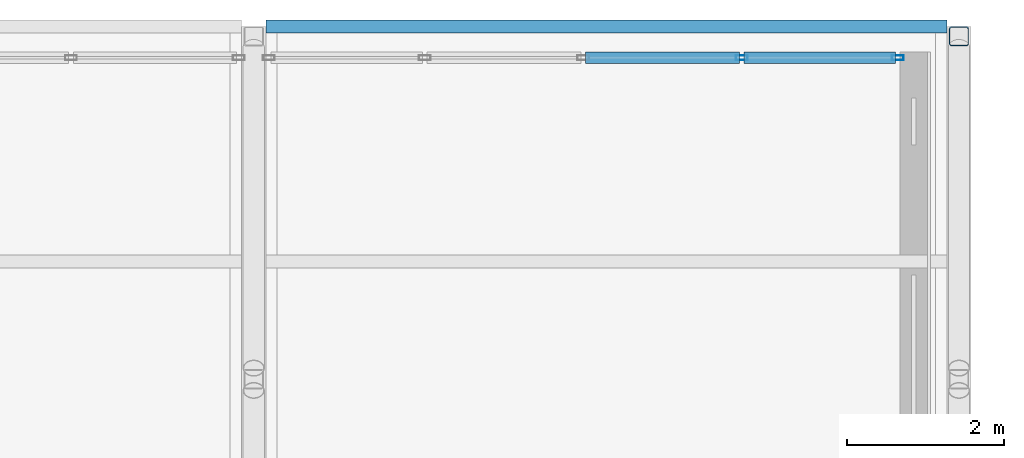
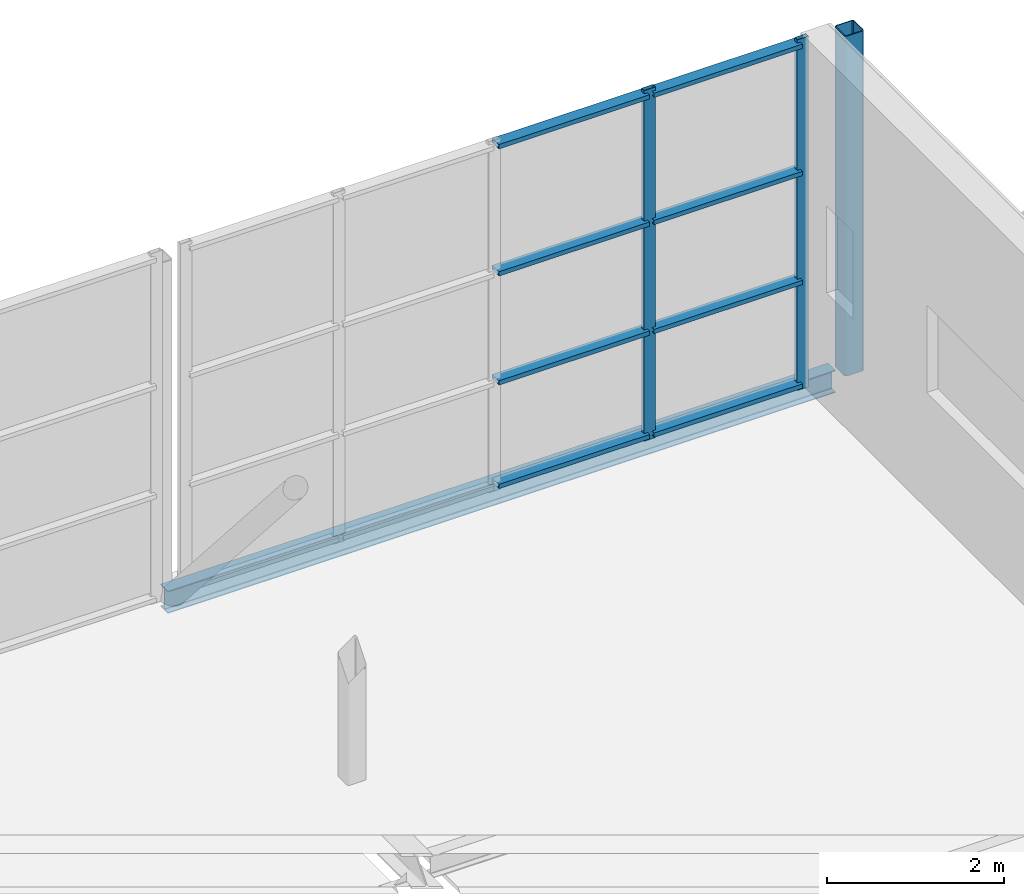
# One storey, part 70 of 94: 11 members, 1 beam, 1 element without a shape of its own.
"""IFC4 building model written with IfcOpenShell, lengths in metres."""

from ifc_helpers import new_model, si_unit, direction, frame, origin, origin_2d, place, context, subcontext, project, spatial, hollow_rectangle, i_section, extrude, material, layer, layer_set, material_profile, profile_set, type_object, element, aggregate, save


model = new_model("IFC4")

# Units and contexts
model_context = context("Model", 3, precision=1e-05, world=origin(), true_north=direction((0.0, 1.0)))
body_context = subcontext(model_context, "Body", "Model", "MODEL_VIEW")
ifc_project = project(units=[si_unit("LENGTHUNIT", "METRE"), si_unit("AREAUNIT", "SQUARE_METRE"), si_unit("VOLUMEUNIT", "CUBIC_METRE"), si_unit("PLANEANGLEUNIT", "RADIAN"), si_unit("MASSUNIT", "GRAM", prefix="KILO")], contexts=[model_context])

# Site, building, storey
site_placement = place(None, origin())
site = spatial("IfcSite", under=ifc_project, at=site_placement, CompositionType="ELEMENT")
building_placement = place(site_placement, origin())
building = spatial("IfcBuilding", under=site, at=building_placement, Name="Shorebreak Coast Museum", CompositionType="ELEMENT")
storey_placement = place(building_placement, frame((0.0, 0.0, 31.0)))
storey = spatial("IfcBuildingStorey", under=building, at=storey_placement, Name="L05", CompositionType="ELEMENT", Elevation=31.0)

# Curtain wall, members
ifc_material_1 = material(Name="Aluminium", Category="aluminium")
ifc_layer = layer(ifc_material_1, 0.14990234375)
ifc_layer_set = layer_set([ifc_layer], Name="Aluminium")
curtain_wall_type = type_object("IfcCurtainWallType", Name="Barrel end glazing", PredefinedType="NOTDEFINED", material=ifc_layer_set)
curtain_wall_placement = place(storey_placement, origin())
curtain_wall = element("IfcCurtainWall", 1, at=curtain_wall_placement, inside=storey, type_object=curtain_wall_type, Name="Barrel end glazing L05 7", PredefinedType="NOTDEFINED")
ifc_material_2 = material(Name="Aluminium", Category="aluminium")
ifc_material_profile_1 = material_profile(ifc_material_2, hollow_rectangle(XDim=0.06005859375, YDim=0.14990234375, WallThickness=0.00390625, at=origin_2d()), Name="AL 150x60 RHS")
ifc_profile_set_1 = profile_set([ifc_material_profile_1], Name="Aluminium")
member_type_1 = type_object("IfcMemberType", Name="Barrel mullion 60 x 150", PredefinedType="MULLION", material=ifc_profile_set_1)
member_1_placement = place(storey_placement, frame((114.22802734375, 134.60009765625, 0.0), z_axis=(0.0, 0.0, 1.0), x_axis=(0.0, 1.0, 0.0)))
member_1 = element("IfcMember", 2, at=member_1_placement, type_object=member_type_1, Name="CW7 mullion 4", PredefinedType="MULLION", context=body_context, shape_type="SweptSolid", body=[
    extrude(hollow_rectangle(XDim=0.06005859375, YDim=0.14990234375, WallThickness=0.00390625, at=origin_2d()), origin(), (0.0, 0.0, 1.0), 4.824951171875),
])
member_2_placement = place(storey_placement, frame((116.219970703125, 134.60009765625, 0.0), z_axis=(0.0, 0.0, 1.0), x_axis=(0.0, 1.0, 0.0)))
member_2 = element("IfcMember", 3, at=member_2_placement, type_object=member_type_1, Name="CW7 mullion 5", PredefinedType="MULLION", context=body_context, shape_type="SweptSolid", body=[
    extrude(hollow_rectangle(XDim=0.06005859375, YDim=0.14990234375, WallThickness=0.00390625, at=origin_2d()), origin(), (0.0, 0.0, 1.0), 4.824951171875),
])
ifc_material_3 = material(Name="Aluminium", Category="aluminium")
ifc_material_profile_2 = material_profile(ifc_material_3, hollow_rectangle(XDim=0.14990234375, YDim=0.06005859375, WallThickness=0.00390625, at=origin_2d()), Name="AL 60x150 RHS")
ifc_profile_set_2 = profile_set([ifc_material_profile_2], Name="Aluminium")
member_type_2 = type_object("IfcMemberType", Name="Barrel transom 150 x 60", PredefinedType="USERDEFINED", material=ifc_profile_set_2)
member_3_placement = place(storey_placement, frame((112.236083984375, 134.60009765625, 0.074951171875), z_axis=(1.0, 0.0, 0.0), x_axis=(0.0, 1.0, 0.0)))
member_3 = element("IfcMember", 4, at=member_3_placement, type_object=member_type_2, Name="CW7 transom 3.1", ObjectType="TRANSOM", PredefinedType="USERDEFINED", context=body_context, shape_type="SweptSolid", body=[
    extrude(hollow_rectangle(XDim=0.14990234375, YDim=0.06005859375, WallThickness=0.00390625, at=origin_2d()), origin(), (0.0, 0.0, 1.0), 1.9619140625),
])
member_4_placement = place(storey_placement, frame((112.236083984375, 134.60009765625, 1.5), z_axis=(1.0, 0.0, 0.0), x_axis=(0.0, 1.0, 0.0)))
member_4 = element("IfcMember", 5, at=member_4_placement, type_object=member_type_2, Name="CW7 transom 3.2", ObjectType="TRANSOM", PredefinedType="USERDEFINED", context=body_context, shape_type="SweptSolid", body=[
    extrude(hollow_rectangle(XDim=0.14990234375, YDim=0.06005859375, WallThickness=0.00390625, at=origin_2d()), origin(), (0.0, 0.0, 1.0), 1.9619140625),
])
member_5_placement = place(storey_placement, frame((112.236083984375, 134.60009765625, 3.0), z_axis=(1.0, 0.0, 0.0), x_axis=(0.0, 1.0, 0.0)))
member_5 = element("IfcMember", 6, at=member_5_placement, type_object=member_type_2, Name="CW7 transom 3.3", ObjectType="TRANSOM", PredefinedType="USERDEFINED", context=body_context, shape_type="SweptSolid", body=[
    extrude(hollow_rectangle(XDim=0.14990234375, YDim=0.06005859375, WallThickness=0.00390625, at=origin_2d()), origin(), (0.0, 0.0, 1.0), 1.9619140625),
])
member_6_placement = place(storey_placement, frame((112.236083984375, 134.60009765625, 4.75), z_axis=(1.0, 0.0, 0.0), x_axis=(0.0, 1.0, 0.0)))
member_6 = element("IfcMember", 7, at=member_6_placement, type_object=member_type_2, Name="CW7 transom 3.4", ObjectType="TRANSOM", PredefinedType="USERDEFINED", context=body_context, shape_type="SweptSolid", body=[
    extrude(hollow_rectangle(XDim=0.14990234375, YDim=0.06005859375, WallThickness=0.00390625, at=origin_2d()), origin(), (0.0, 0.0, 1.0), 1.9619140625),
])
member_7_placement = place(storey_placement, frame((114.258056640625, 134.60009765625, 0.074951171875), z_axis=(1.0, 0.0, 0.0), x_axis=(0.0, 1.0, 0.0)))
member_7 = element("IfcMember", 8, at=member_7_placement, type_object=member_type_2, Name="CW7 transom 4.1", ObjectType="TRANSOM", PredefinedType="USERDEFINED", context=body_context, shape_type="SweptSolid", body=[
    extrude(hollow_rectangle(XDim=0.14990234375, YDim=0.06005859375, WallThickness=0.00390625, at=origin_2d()), origin(), (0.0, 0.0, 1.0), 1.931884765625),
])
member_8_placement = place(storey_placement, frame((114.258056640625, 134.60009765625, 1.5), z_axis=(1.0, 0.0, 0.0), x_axis=(0.0, 1.0, 0.0)))
member_8 = element("IfcMember", 9, at=member_8_placement, type_object=member_type_2, Name="CW7 transom 4.2", ObjectType="TRANSOM", PredefinedType="USERDEFINED", context=body_context, shape_type="SweptSolid", body=[
    extrude(hollow_rectangle(XDim=0.14990234375, YDim=0.06005859375, WallThickness=0.00390625, at=origin_2d()), origin(), (0.0, 0.0, 1.0), 1.931884765625),
])
member_9_placement = place(storey_placement, frame((114.258056640625, 134.60009765625, 3.0), z_axis=(1.0, 0.0, 0.0), x_axis=(0.0, 1.0, 0.0)))
member_9 = element("IfcMember", 10, at=member_9_placement, type_object=member_type_2, Name="CW7 transom 4.3", ObjectType="TRANSOM", PredefinedType="USERDEFINED", context=body_context, shape_type="SweptSolid", body=[
    extrude(hollow_rectangle(XDim=0.14990234375, YDim=0.06005859375, WallThickness=0.00390625, at=origin_2d()), origin(), (0.0, 0.0, 1.0), 1.931884765625),
])
member_10_placement = place(storey_placement, frame((114.258056640625, 134.60009765625, 4.75), z_axis=(1.0, 0.0, 0.0), x_axis=(0.0, 1.0, 0.0)))
member_10 = element("IfcMember", 11, at=member_10_placement, type_object=member_type_2, Name="CW7 transom 4.4", ObjectType="TRANSOM", PredefinedType="USERDEFINED", context=body_context, shape_type="SweptSolid", body=[
    extrude(hollow_rectangle(XDim=0.14990234375, YDim=0.06005859375, WallThickness=0.00390625, at=origin_2d()), origin(), (0.0, 0.0, 1.0), 1.931884765625),
])
aggregate(curtain_wall, [member_1, member_2, member_3, member_4, member_5, member_6, member_7, member_8, member_9, member_10])

# Beam
ifc_material_4 = material(Name="Steel Grade 300", Category="steel")
ifc_material_profile_3 = material_profile(ifc_material_4, i_section(OverallWidth=0.166015625, OverallDepth=0.30712890625, WebThickness=0.006591796875, FlangeThickness=0.01171875, FilletRadius=0.011474609375, at=origin_2d()), Name="310UB46.2")
ifc_profile_set_3 = profile_set([ifc_material_profile_3], Name="Steel Grade 300")
beam_type = type_object("IfcBeamType", Name="Floor girder east-west 310UB46.2", PredefinedType="BEAM", material=ifc_profile_set_3)
beam_placement = place(storey_placement, frame((108.155517578125, 135.0, -0.32861328125), z_axis=(1.0, 0.0, 0.0), x_axis=(0.0, 1.0, 0.0)))
element("IfcBeam", 12, at=beam_placement, inside=storey, type_object=beam_type, Name="Floor girder east-west L05 13S", PredefinedType="BEAM", context=body_context, shape_type="SweptSolid", body=[
    extrude(i_section(OverallWidth=0.166015625, OverallDepth=0.30712890625, WebThickness=0.006591796875, FlangeThickness=0.01171875, FilletRadius=0.011474609375, at=origin_2d()), origin(), (0.0, 0.0, 1.0), 8.68896484375),
])

# Member
ifc_material_5 = material(Name="Steel Grade C450L0", Category="steel")
ifc_material_profile_4 = material_profile(ifc_material_5, hollow_rectangle(XDim=0.25, YDim=0.25, WallThickness=0.012451171875, InnerFilletRadius=0.018798828125, OuterFilletRadius=0.03125, at=origin_2d()), Name="250x250x12.5 SHS")
ifc_profile_set_4 = profile_set([ifc_material_profile_4], Name="Steel Grade C450L0")
member_type_3 = type_object("IfcMemberType", Name="Transfer truss strut 250x250x12.5 SHS", PredefinedType="STRUT", material=ifc_profile_set_4)
member_11_placement = place(storey_placement, frame((117.0, 134.875, -0.175048828125), z_axis=(0.0, 0.0, 1.0), x_axis=(1.0, 0.0, 0.0)))
element("IfcMember", 13, at=member_11_placement, inside=storey, type_object=member_type_3, Name="Transfer truss TR8 strut V07", PredefinedType="STRUT", context=body_context, shape_type="SweptSolid", body=[
    extrude(hollow_rectangle(XDim=0.25, YDim=0.25, WallThickness=0.012451171875, InnerFilletRadius=0.018798828125, OuterFilletRadius=0.03125, at=origin_2d()), origin(), (0.0, 0.0, 1.0), 4.679443359375),
])

save(model, "model.ifc")
